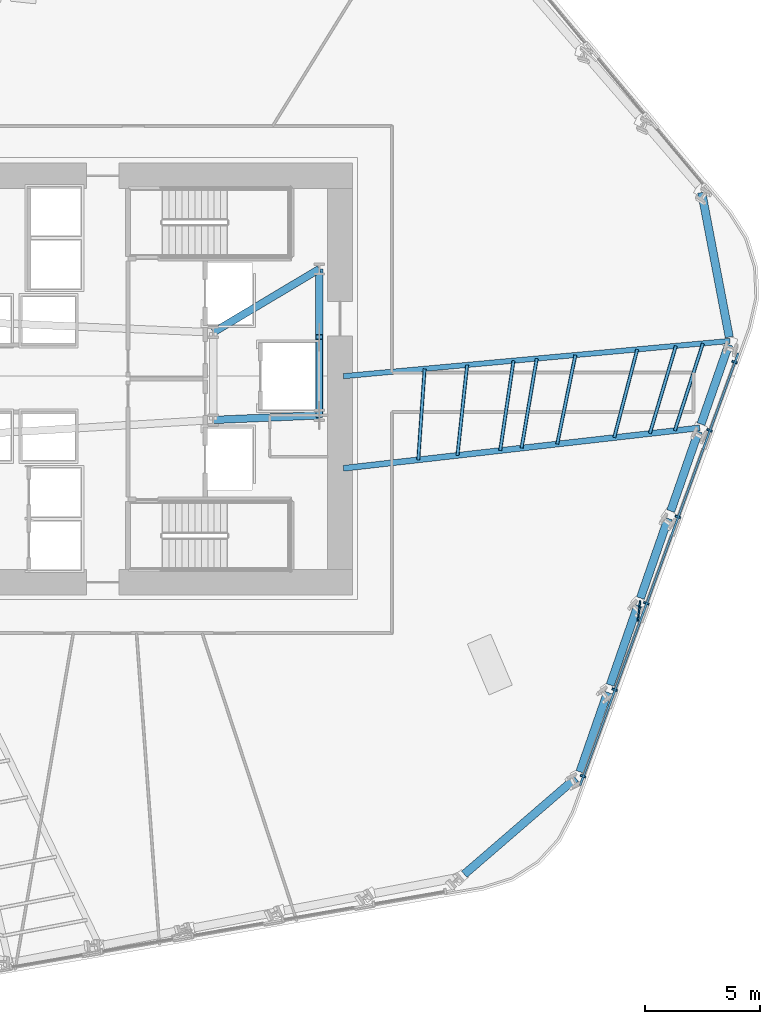
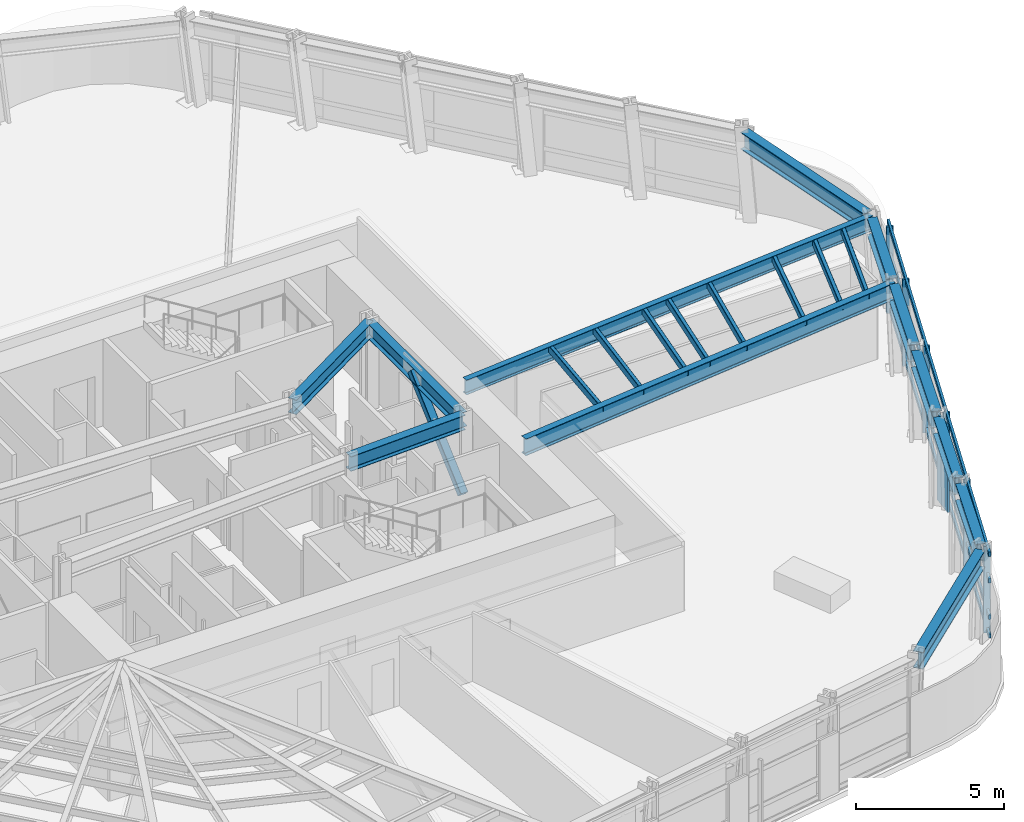
# One storey, part 4 of 16: 20 members, 12 beams, 1 element without a shape of its own.
"""IFC4 building model written with IfcOpenShell, lengths in metres."""

from ifc_helpers import new_model, si_unit, direction, frame, origin, origin_2d, place, context, subcontext, project, spatial, rectangle, hollow_rectangle, i_section, extrude, material, layer, layer_set, material_profile, profile_set, type_object, element, aggregate, save


model = new_model("IFC4")

# Units and contexts
model_context = context("Model", 3, precision=1e-05, world=origin(), true_north=direction((0.0, 1.0)))
body_context = subcontext(model_context, "Body", "Model", "MODEL_VIEW")
ifc_project = project(units=[si_unit("LENGTHUNIT", "METRE"), si_unit("AREAUNIT", "SQUARE_METRE"), si_unit("VOLUMEUNIT", "CUBIC_METRE"), si_unit("PLANEANGLEUNIT", "RADIAN"), si_unit("MASSUNIT", "GRAM", prefix="KILO")], contexts=[model_context])

# Site, building, storey
site_placement = place(None, origin())
site = spatial("IfcSite", under=ifc_project, at=site_placement, CompositionType="ELEMENT")
building_placement = place(site_placement, origin())
building = spatial("IfcBuilding", under=site, at=building_placement, Name="Valkerne Bourse Tower", CompositionType="ELEMENT")
storey_placement = place(building_placement, frame((0.0, 0.0, 65.800048828125)))
storey = spatial("IfcBuildingStorey", under=building, at=storey_placement, Name="L16", CompositionType="ELEMENT", Elevation=65.800048828125)

# Beams
ifc_material_1 = material(Name="Steel ASTM A992", Category="steel")
ifc_material_profile_1 = material_profile(ifc_material_1, i_section(OverallWidth=0.3251953125, OverallDepth=0.612060546875, WebThickness=0.0126953125, FlangeThickness=0.01904296875, FilletRadius=0.020263671875, at=origin_2d()), Name="W24X104")
ifc_profile_set_1 = profile_set([ifc_material_profile_1], Name="Steel ASTM A992")
beam_type_1 = type_object("IfcBeamType", Name="BM-W24X104", PredefinedType="BEAM", material=ifc_profile_set_1)
beam_1_placement = place(storey_placement, frame((50.35009765625, 25.10009765625, 3.27392578125), z_axis=(0.999056558506, 0.043428019819, 0.0), x_axis=(-0.043428019819, 0.999056558506, 0.0)))
element("IfcBeam", 1, at=beam_1_placement, inside=storey, type_object=beam_type_1, Name="L16 Core Frame Girder CG-SE", PredefinedType="BEAM", context=body_context, shape_type="SweptSolid", body=[
    extrude(i_section(OverallWidth=0.3251953125, OverallDepth=0.612060546875, WebThickness=0.0126953125, FlangeThickness=0.01904296875, FilletRadius=0.020263671875, at=origin_2d()), origin(), (0.0, 0.0, 1.0), 4.604248046875),
])
beam_2_placement = place(storey_placement, frame((50.35009765625, 28.89990234375, 3.27392578125), z_axis=(0.858307823492, 0.513135148019, 0.0), x_axis=(-0.513135148019, 0.858307823492, 0.0)))
element("IfcBeam", 2, at=beam_2_placement, inside=storey, type_object=beam_type_1, Name="L16 Core Frame Girder CG-NE", PredefinedType="BEAM", context=body_context, shape_type="SweptSolid", body=[
    extrude(i_section(OverallWidth=0.3251953125, OverallDepth=0.612060546875, WebThickness=0.0126953125, FlangeThickness=0.01904296875, FilletRadius=0.020263671875, at=origin_2d()), origin(), (0.0, 0.0, 1.0), 5.359130859375),
])
beam_3_placement = place(storey_placement, frame((54.949951171875, 25.300048828125, 3.27392578125), z_axis=(0.0, 1.0, 0.0), x_axis=(-1.0, 0.0, 0.0)))
element("IfcBeam", 3, at=beam_3_placement, inside=storey, type_object=beam_type_1, Name="L16 Core Frame Girder CG-EE", PredefinedType="BEAM", context=body_context, shape_type="SweptSolid", body=[
    extrude(i_section(OverallWidth=0.3251953125, OverallDepth=0.612060546875, WebThickness=0.0126953125, FlangeThickness=0.01904296875, FilletRadius=0.020263671875, at=origin_2d()), origin(), (0.0, 0.0, 1.0), 6.349853515625),
])
ifc_material_profile_2 = material_profile(ifc_material_1, i_section(OverallWidth=0.228271484375, OverallDepth=0.607177734375, WebThickness=0.01123046875, FlangeThickness=0.017333984375, FilletRadius=0.017822265625, at=origin_2d()), Name="W24X76")
ifc_profile_set_2 = profile_set([ifc_material_profile_2], Name="Steel ASTM A992")
beam_type_2 = type_object("IfcBeamType", Name="BM-W24X76", PredefinedType="JOIST", material=ifc_profile_set_2)
beam_4_placement = place(storey_placement, frame((72.78076171875, 28.531005859375, 3.2763671875), z_axis=(-0.995863820589, -0.09085841096, 0.0), x_axis=(0.09085841096, -0.995863820589, 0.0)))
element("IfcBeam", 4, at=beam_4_placement, inside=storey, type_object=beam_type_2, Name="L16 Radial Composite Floor Beam 35", PredefinedType="JOIST", context=body_context, shape_type="SweptSolid", body=[
    extrude(i_section(OverallWidth=0.228271484375, OverallDepth=0.607177734375, WebThickness=0.01123046875, FlangeThickness=0.017333984375, FilletRadius=0.017822265625, at=origin_2d()), origin(), (0.0, 0.0, 1.0), 16.850341796875),
])
ifc_material_profile_3 = material_profile(ifc_material_1, i_section(OverallWidth=0.255859375, OverallDepth=0.693359375, WebThickness=0.014404296875, FlangeThickness=0.023681640625, FilletRadius=0.02294921875, at=origin_2d()), Name="W27X114")
ifc_profile_set_3 = profile_set([ifc_material_profile_3], Name="Steel ASTM A992")
beam_type_3 = type_object("IfcBeamType", Name="BM-W27X114", PredefinedType="BEAM", material=ifc_profile_set_3)
beam_5_placement = place(storey_placement, frame((71.466796875, 24.757080078125, 3.233154296875), z_axis=(-0.99360893331, -0.112877312366, 0.0), x_axis=(0.112877312366, -0.99360893331, 0.0)))
element("IfcBeam", 5, at=beam_5_placement, inside=storey, type_object=beam_type_3, Name="L16 Radial Composite Floor Beam 34", PredefinedType="BEAM", context=body_context, shape_type="SweptSolid", body=[
    extrude(i_section(OverallWidth=0.255859375, OverallDepth=0.693359375, WebThickness=0.014404296875, FlangeThickness=0.023681640625, FilletRadius=0.02294921875, at=origin_2d()), origin(), (0.0, 0.0, 1.0), 15.566162109375),
])
ifc_material_profile_4 = material_profile(ifc_material_1, i_section(OverallWidth=0.358154296875, OverallDepth=0.7060546875, WebThickness=0.018310546875, FlangeThickness=0.0302734375, FilletRadius=0.02294921875, at=origin_2d()), Name="W27X178")
ifc_profile_set_4 = profile_set([ifc_material_profile_4], Name="Steel ASTM A992")
beam_type_4 = type_object("IfcBeamType", Name="BM-W27X178", PredefinedType="SPANDREL", material=ifc_profile_set_4)
beam_6_placement = place(storey_placement, frame((61.244873046875, 5.37646484375, 3.226806640625), z_axis=(0.756986234467, 0.653430823291, 0.0), x_axis=(-0.653430823291, 0.756986234467, 0.0)))
element("IfcBeam", 6, at=beam_6_placement, inside=storey, type_object=beam_type_4, Name="L16 Hexagonal Spandrel Ring Beam 29", PredefinedType="SPANDREL", context=body_context, shape_type="SweptSolid", body=[
    extrude(i_section(OverallWidth=0.358154296875, OverallDepth=0.7060546875, WebThickness=0.018310546875, FlangeThickness=0.0302734375, FilletRadius=0.02294921875, at=origin_2d()), origin(), (0.0, 0.0, 1.0), 6.38916015625),
])
beam_7_placement = place(storey_placement, frame((66.26611328125, 9.82275390625, 3.226806640625), z_axis=(0.328821058667, 0.94439224445, 0.0), x_axis=(-0.94439224445, 0.328821058667, 0.0)))
element("IfcBeam", 7, at=beam_7_placement, inside=storey, type_object=beam_type_4, Name="L16 Hexagonal Spandrel Ring Beam 30", PredefinedType="SPANDREL", context=body_context, shape_type="SweptSolid", body=[
    extrude(i_section(OverallWidth=0.358154296875, OverallDepth=0.7060546875, WebThickness=0.018310546875, FlangeThickness=0.0302734375, FilletRadius=0.02294921875, at=origin_2d()), origin(), (0.0, 0.0, 1.0), 3.656005859375),
])
for number, where, z_axis, x_axis, name in (
    (8, (67.580078125, 13.596435546875, 3.226806640625), (0.328859876585, 0.944378727827, 0.0), (-0.944378727827, 0.328859876585, 0.0), "L16 Hexagonal Spandrel Ring Beam 31"),
    (9, (68.894287109375, 17.3701171875, 3.226806640625), (0.328859876585, 0.944378727827, 0.0), (-0.944378727827, 0.328859876585, 0.0), "L16 Hexagonal Spandrel Ring Beam 32"),
):
    element("IfcBeam", number, at=place(storey_placement, frame(where, z_axis=z_axis, x_axis=x_axis)), inside=storey, type_object=beam_type_4, Name=name, PredefinedType="SPANDREL", context=body_context, shape_type="SweptSolid", body=[
        extrude(i_section(OverallWidth=0.358154296875, OverallDepth=0.7060546875, WebThickness=0.018310546875, FlangeThickness=0.0302734375, FilletRadius=0.02294921875, at=origin_2d()), origin(), (0.0, 0.0, 1.0), 3.65625),
    ])
for number, where, z_axis, x_axis, name in (
    (10, (70.20849609375, 21.14404296875, 3.226806640625), (0.328880615569, 0.94437150566, 0.0), (-0.94437150566, 0.328880615569, 0.0), "L16 Hexagonal Spandrel Ring Beam 33"),
    (11, (71.522705078125, 24.917724609375, 3.226806640625), (0.328821058667, 0.94439224445, 0.0), (-0.94439224445, 0.328821058667, 0.0), "L16 Hexagonal Spandrel Ring Beam 34"),
):
    element("IfcBeam", number, at=place(storey_placement, frame(where, z_axis=z_axis, x_axis=x_axis)), inside=storey, type_object=beam_type_4, Name=name, PredefinedType="SPANDREL", context=body_context, shape_type="SweptSolid", body=[
        extrude(i_section(OverallWidth=0.358154296875, OverallDepth=0.7060546875, WebThickness=0.018310546875, FlangeThickness=0.0302734375, FilletRadius=0.02294921875, at=origin_2d()), origin(), (0.0, 0.0, 1.0), 3.656005859375),
    ])
beam_8_placement = place(storey_placement, frame((72.748779296875, 28.697998046875, 3.226806640625), z_axis=(-0.18735617752, 0.982292045547, 0.0), x_axis=(-0.982292045547, -0.18735617752, 0.0)))
element("IfcBeam", 12, at=beam_8_placement, inside=storey, type_object=beam_type_4, Name="L16 Hexagonal Spandrel Ring Beam 35", PredefinedType="SPANDREL", context=body_context, shape_type="SweptSolid", body=[
    extrude(i_section(OverallWidth=0.358154296875, OverallDepth=0.7060546875, WebThickness=0.018310546875, FlangeThickness=0.0302734375, FilletRadius=0.02294921875, at=origin_2d()), origin(), (0.0, 0.0, 1.0), 6.388916015625),
])

# Curtain wall, members
ifc_material_2 = material(Name="Aluminium AA 6063-T6", Category="aluminium")
ifc_layer = layer(ifc_material_2, 0.22509765625)
ifc_layer_set = layer_set([ifc_layer], Name="Aluminium AA 6063-T6")
curtain_wall_type = type_object("IfcCurtainWallType", Name="CW-01", PredefinedType="NOTDEFINED", material=ifc_layer_set)
curtain_wall_placement = place(storey_placement, origin())
curtain_wall = element("IfcCurtainWall", 13, at=curtain_wall_placement, inside=storey, type_object=curtain_wall_type, Name="L16 Hexagonal Stick Curtain Wall Face 6", PredefinedType="NOTDEFINED")
ifc_material_profile_5 = material_profile(ifc_material_2, rectangle(XDim=0.090087890625, YDim=0.239990234375, at=origin_2d()), Name="CWM-90X240")
ifc_profile_set_5 = profile_set([ifc_material_profile_5], Name="Aluminium AA 6063-T6")
member_type_1 = type_object("IfcMemberType", Name="CW-MUL-240X90", PredefinedType="MULLION", material=ifc_profile_set_5)
member_1_placement = place(storey_placement, frame((66.39892578125, 9.63720703125, 0.0), z_axis=(0.0, 0.0, 1.0), x_axis=(0.343661198738, 0.939093701652, 0.0)))
member_1 = element("IfcMember", 14, at=member_1_placement, type_object=member_type_1, Name="CW-L16-F6 Jamb Mullion 00A", PredefinedType="MULLION", context=body_context, shape_type="SweptSolid", body=[
    extrude(rectangle(XDim=0.090087890625, YDim=0.239990234375, at=origin_2d()), origin(), (0.0, 0.0, 1.0), 3.579833984375),
])
member_2_placement = place(storey_placement, frame((67.772216796875, 13.389892578125, 0.0), z_axis=(0.0, 0.0, 1.0), x_axis=(0.343669275067, 0.939090746081, 0.0)))
member_2 = element("IfcMember", 15, at=member_2_placement, type_object=member_type_1, Name="CW-L16-F6 Jamb Mullion 01A", PredefinedType="MULLION", context=body_context, shape_type="SweptSolid", body=[
    extrude(rectangle(XDim=0.090087890625, YDim=0.239990234375, at=origin_2d()), origin(), (0.0, 0.0, 1.0), 3.579833984375),
])
member_3_placement = place(storey_placement, frame((69.1455078125, 17.142333984375, 0.0), z_axis=(0.0, 0.0, 1.0), x_axis=(0.343647205386, 0.939098822398, 0.0)))
member_3 = element("IfcMember", 16, at=member_3_placement, type_object=member_type_1, Name="CW-L16-F6 Jamb Mullion 02A", PredefinedType="MULLION", context=body_context, shape_type="SweptSolid", body=[
    extrude(rectangle(XDim=0.090087890625, YDim=0.239990234375, at=origin_2d()), origin(), (0.0, 0.0, 1.0), 3.579833984375),
])
member_4_placement = place(storey_placement, frame((70.518798828125, 20.89501953125, 0.0), z_axis=(0.0, 0.0, 1.0), x_axis=(0.343669275067, 0.939090746081, 0.0)))
member_4 = element("IfcMember", 17, at=member_4_placement, type_object=member_type_1, Name="CW-L16-F6 Jamb Mullion 03A", PredefinedType="MULLION", context=body_context, shape_type="SweptSolid", body=[
    extrude(rectangle(XDim=0.090087890625, YDim=0.239990234375, at=origin_2d()), origin(), (0.0, 0.0, 1.0), 3.579833984375),
])
member_5_placement = place(storey_placement, frame((71.89208984375, 24.647705078125, 0.0), z_axis=(0.0, 0.0, 1.0), x_axis=(0.343661198738, 0.939093701652, 0.0)))
member_5 = element("IfcMember", 18, at=member_5_placement, type_object=member_type_1, Name="CW-L16-F6 Jamb Mullion 04A", PredefinedType="MULLION", context=body_context, shape_type="SweptSolid", body=[
    extrude(rectangle(XDim=0.090087890625, YDim=0.239990234375, at=origin_2d()), origin(), (0.0, 0.0, 1.0), 3.579833984375),
])
member_6_placement = place(storey_placement, frame((72.976806640625, 27.611328125, 0.0), z_axis=(0.0, 0.0, 1.0), x_axis=(0.343661198738, 0.939093701652, 0.0)))
member_6 = element("IfcMember", 19, at=member_6_placement, type_object=member_type_1, Name="CW-L16-F6 Jamb Mullion 04B", PredefinedType="MULLION", context=body_context, shape_type="SweptSolid", body=[
    extrude(rectangle(XDim=0.090087890625, YDim=0.239990234375, at=origin_2d()), origin(), (0.0, 0.0, 1.0), 3.579833984375),
])
ifc_material_profile_6 = material_profile(ifc_material_2, rectangle(XDim=0.090087890625, YDim=0.179931640625, at=origin_2d()), Name="CWT-90X180")
ifc_profile_set_6 = profile_set([ifc_material_profile_6], Name="Aluminium AA 6063-T6")
member_type_2 = type_object("IfcMemberType", Name="CW-TRN-180X90", PredefinedType="USERDEFINED", material=ifc_profile_set_6)
member_7_placement = place(storey_placement, frame((66.2734375, 9.23583984375, 0.119873046875), z_axis=(0.343664326706, 0.939092556966, 0.0), x_axis=(-0.939092556966, 0.343664326706, 0.0)))
member_7 = element("IfcMember", 20, at=member_7_placement, type_object=member_type_2, Name="CW-L16-F6 Continuous Face Transom 1", ObjectType="TRANSOM", PredefinedType="USERDEFINED", context=body_context, shape_type="SweptSolid", body=[
    extrude(rectangle(XDim=0.090087890625, YDim=0.179931640625, at=origin_2d()), origin(), (0.0, 0.0, 1.0), 19.980224609375),
])
member_8_placement = place(storey_placement, frame((66.2734375, 9.23583984375, 0.89990234375), z_axis=(0.343664326706, 0.939092556966, 0.0), x_axis=(-0.939092556966, 0.343664326706, 0.0)))
member_8 = element("IfcMember", 21, at=member_8_placement, type_object=member_type_2, Name="CW-L16-F6 Continuous Face Transom 2", ObjectType="TRANSOM", PredefinedType="USERDEFINED", context=body_context, shape_type="SweptSolid", body=[
    extrude(rectangle(XDim=0.090087890625, YDim=0.179931640625, at=origin_2d()), origin(), (0.0, 0.0, 1.0), 19.980224609375),
])
member_9_placement = place(storey_placement, frame((66.2734375, 9.23583984375, 2.39990234375), z_axis=(0.343664326706, 0.939092556966, 0.0), x_axis=(-0.939092556966, 0.343664326706, 0.0)))
member_9 = element("IfcMember", 22, at=member_9_placement, type_object=member_type_2, Name="CW-L16-F6 Continuous Face Transom 3", ObjectType="TRANSOM", PredefinedType="USERDEFINED", context=body_context, shape_type="SweptSolid", body=[
    extrude(rectangle(XDim=0.090087890625, YDim=0.179931640625, at=origin_2d()), origin(), (0.0, 0.0, 1.0), 19.980224609375),
])
member_10_placement = place(storey_placement, frame((66.2734375, 9.23583984375, 3.5), z_axis=(0.343664326706, 0.939092556966, 0.0), x_axis=(-0.939092556966, 0.343664326706, 0.0)))
member_10 = element("IfcMember", 23, at=member_10_placement, type_object=member_type_2, Name="CW-L16-F6 Continuous Face Transom 4", ObjectType="TRANSOM", PredefinedType="USERDEFINED", context=body_context, shape_type="SweptSolid", body=[
    extrude(rectangle(XDim=0.090087890625, YDim=0.179931640625, at=origin_2d()), origin(), (0.0, 0.0, 1.0), 19.980224609375),
])
aggregate(curtain_wall, [member_7, member_8, member_9, member_10, member_1, member_2, member_3, member_4, member_5, member_6])

# Members
ifc_material_3 = material(Name="Bronze Anodised Aluminium AA 6063-T6", Category="aluminium")
ifc_material_profile_7 = material_profile(ifc_material_3, rectangle(XDim=0.070068359375, YDim=0.89990234375, at=origin_2d()), Name="FIN-70X900")
ifc_profile_set_7 = profile_set([ifc_material_profile_7], Name="Bronze Anodised Aluminium AA 6063-T6")
member_type_3 = type_object("IfcMemberType", Name="FIN-SOLAR-900", PredefinedType="USERDEFINED", material=ifc_profile_set_7)
member_11_placement = place(storey_placement, frame((68.832275390625, 16.809814453125, 0.00390625), z_axis=(0.0, 0.0, 1.0), x_axis=(0.994279053776, -0.10681368462, 0.0)))
element("IfcMember", 24, at=member_11_placement, inside=storey, type_object=member_type_3, Name="L16 Bronze Anodised Solar Fin F6-02", ObjectType="SOLAR_FIN", PredefinedType="USERDEFINED", context=body_context, shape_type="SweptSolid", body=[
    extrude(rectangle(XDim=0.070068359375, YDim=0.89990234375, at=origin_2d()), origin(), (0.0, 0.0, 1.0), 3.572021484375),
])
ifc_material_4 = material(Name="Steel ASTM A500 Grade C", Category="steel")
ifc_material_profile_8 = material_profile(ifc_material_4, hollow_rectangle(XDim=0.14990234375, YDim=0.300048828125, WallThickness=0.012451171875, OuterFilletRadius=0.02490234375, at=origin_2d()), Name="HSS300X150X12.5")
ifc_profile_set_8 = profile_set([ifc_material_profile_8], Name="Steel ASTM A500 Grade C")
member_type_4 = type_object("IfcMemberType", Name="MBR-HSS300X150X12.5", PredefinedType="PURLIN", material=ifc_profile_set_8)
member_12_placement = place(storey_placement, frame((60.94921875, 23.562255859375, 3.419921875), z_axis=(0.106489478354, 0.994313829231, 0.0), x_axis=(-0.994313829231, 0.106489478354, 0.0)))
element("IfcMember", 25, at=member_12_placement, inside=storey, type_object=member_type_4, Name="L16 Secondary Composite Floor Purlin I-34", PredefinedType="PURLIN", context=body_context, shape_type="SweptSolid", body=[
    extrude(hollow_rectangle(XDim=0.14990234375, YDim=0.300048828125, WallThickness=0.012451171875, OuterFilletRadius=0.02490234375, at=origin_2d()), origin(), (0.0, 0.0, 1.0), 3.9501953125),
])
member_13_placement = place(storey_placement, frame((62.805419921875, 23.773193359375, 3.419921875), z_axis=(0.146620468297, 0.989192821586, 0.0), x_axis=(-0.989192821586, 0.146620468297, 0.0)))
element("IfcMember", 26, at=member_13_placement, inside=storey, type_object=member_type_4, Name="L16 Secondary Composite Floor Purlin K-34", PredefinedType="PURLIN", context=body_context, shape_type="SweptSolid", body=[
    extrude(hollow_rectangle(XDim=0.14990234375, YDim=0.300048828125, WallThickness=0.012451171875, OuterFilletRadius=0.02490234375, at=origin_2d()), origin(), (0.0, 0.0, 1.0), 3.943115234375),
])
member_14_placement = place(storey_placement, frame((63.7333984375, 23.878662109375, 3.419921875), z_axis=(0.166668404048, 0.986013003511, 0.0), x_axis=(-0.986013003511, 0.166668404048, 0.0)))
element("IfcMember", 27, at=member_14_placement, inside=storey, type_object=member_type_4, Name="L16 Secondary Composite Floor Purlin M-34", PredefinedType="PURLIN", context=body_context, shape_type="SweptSolid", body=[
    extrude(hollow_rectangle(XDim=0.14990234375, YDim=0.300048828125, WallThickness=0.012451171875, OuterFilletRadius=0.02490234375, at=origin_2d()), origin(), (0.0, 0.0, 1.0), 3.94189453125),
])
member_15_placement = place(storey_placement, frame((67.754638671875, 24.33544921875, 3.419921875), z_axis=(0.252454554017, 0.967608752625, 0.0), x_axis=(-0.967608752625, 0.252454554017, 0.0)))
element("IfcMember", 28, at=member_15_placement, inside=storey, type_object=member_type_4, Name="L16 Secondary Composite Floor Purlin O-34", PredefinedType="PURLIN", context=body_context, shape_type="SweptSolid", body=[
    extrude(hollow_rectangle(XDim=0.14990234375, YDim=0.300048828125, WallThickness=0.012451171875, OuterFilletRadius=0.02490234375, at=origin_2d()), origin(), (0.0, 0.0, 1.0), 3.956298828125),
])
member_16_placement = place(storey_placement, frame((65.280029296875, 24.05419921875, 3.419921875), z_axis=(0.199947883772, 0.97980653385, 0.0), x_axis=(-0.97980653385, 0.199947883772, 0.0)))
element("IfcMember", 29, at=member_16_placement, inside=storey, type_object=member_type_4, Name="L16 Secondary Composite Floor Purlin Z-34", PredefinedType="PURLIN", context=body_context, shape_type="SweptSolid", body=[
    extrude(hollow_rectangle(XDim=0.14990234375, YDim=0.300048828125, WallThickness=0.012451171875, OuterFilletRadius=0.02490234375, at=origin_2d()), origin(), (0.0, 0.0, 1.0), 3.94384765625),
])
member_17_placement = place(storey_placement, frame((59.248046875, 23.368896484375, 3.419921875), z_axis=(0.069626782893, 0.997573110656, 0.0), x_axis=(-0.997573110656, 0.069626782893, 0.0)))
element("IfcMember", 30, at=member_17_placement, inside=storey, type_object=member_type_4, Name="L16 Secondary Composite Floor Purlin S-34", PredefinedType="PURLIN", context=body_context, shape_type="SweptSolid", body=[
    extrude(hollow_rectangle(XDim=0.14990234375, YDim=0.300048828125, WallThickness=0.012451171875, OuterFilletRadius=0.02490234375, at=origin_2d()), origin(), (0.0, 0.0, 1.0), 3.962158203125),
])
member_18_placement = place(storey_placement, frame((69.301513671875, 24.51123046875, 3.419921875), z_axis=(0.284632730645, 0.958636640571, 0.0), x_axis=(-0.958636640571, 0.284632730645, 0.0)))
element("IfcMember", 31, at=member_18_placement, inside=storey, type_object=member_type_4, Name="L16 Secondary Composite Floor Purlin T-34", PredefinedType="PURLIN", context=body_context, shape_type="SweptSolid", body=[
    extrude(hollow_rectangle(XDim=0.14990234375, YDim=0.300048828125, WallThickness=0.012451171875, OuterFilletRadius=0.02490234375, at=origin_2d()), origin(), (0.0, 0.0, 1.0), 3.9697265625),
])
member_19_placement = place(storey_placement, frame((70.384033203125, 24.63427734375, 3.419921875), z_axis=(0.306959781617, 0.95172248711, 0.0), x_axis=(-0.95172248711, 0.306959781617, 0.0)))
element("IfcMember", 32, at=member_19_placement, inside=storey, type_object=member_type_4, Name="L16 Secondary Composite Floor Purlin U-34", PredefinedType="PURLIN", context=body_context, shape_type="SweptSolid", body=[
    extrude(hollow_rectangle(XDim=0.14990234375, YDim=0.300048828125, WallThickness=0.012451171875, OuterFilletRadius=0.02490234375, at=origin_2d()), origin(), (0.0, 0.0, 1.0), 3.9814453125),
])
ifc_material_profile_9 = material_profile(ifc_material_4, hollow_rectangle(XDim=0.300048828125, YDim=0.300048828125, WallThickness=0.012451171875, OuterFilletRadius=0.02490234375, at=origin_2d()), Name="HSS300X300X12.5")
ifc_profile_set_9 = profile_set([ifc_material_profile_9], Name="Steel ASTM A500 Grade C")
member_type_5 = type_object("IfcMemberType", Name="MBR-HSS300X300X12.5", PredefinedType="STRUT", material=ifc_profile_set_9)
member_20_placement = place(storey_placement, frame((54.949951171875, 25.300048828125, 0.219970703125), z_axis=(0.0, 0.743941933778, 0.668244266094), x_axis=(-1.0, 0.0, 0.0)))
element("IfcMember", 33, at=member_20_placement, inside=storey, type_object=member_type_5, Name="L16 Core Service Pier Lateral Brace", PredefinedType="STRUT", context=body_context, shape_type="SweptSolid", body=[
    extrude(hollow_rectangle(XDim=0.300048828125, YDim=0.300048828125, WallThickness=0.012451171875, OuterFilletRadius=0.02490234375, at=origin_2d()), origin(), (0.0, 0.0, 1.0), 4.570068359375),
])

save(model, "model.ifc")
